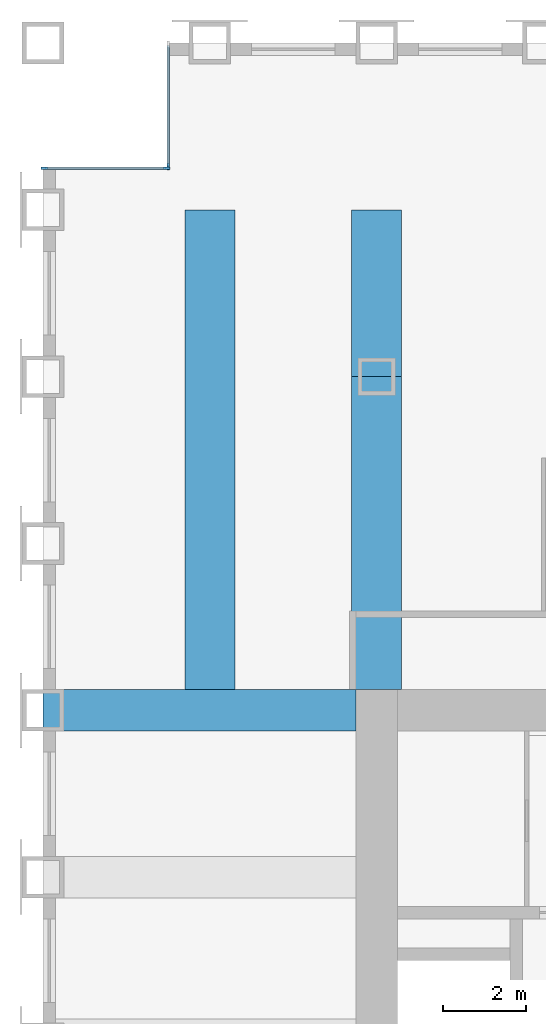
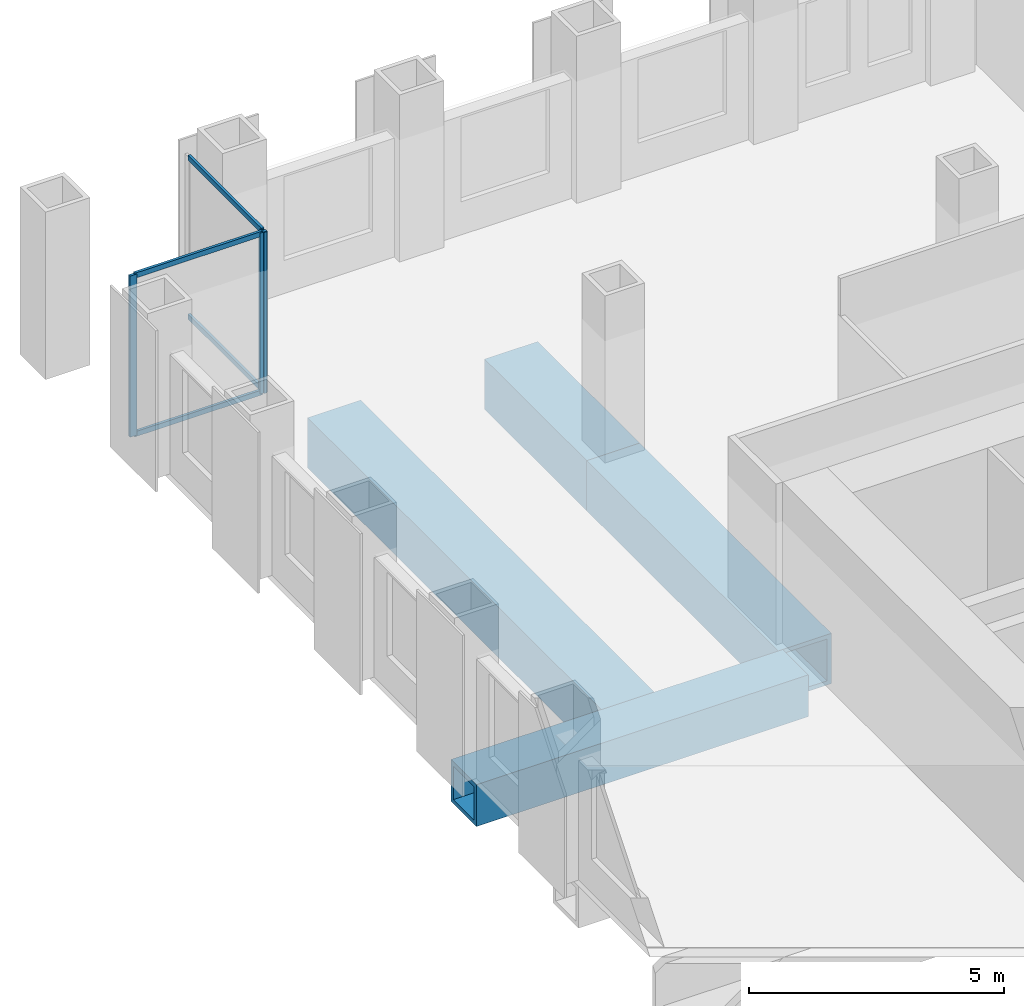
# One storey, part 5 of 14: 7 members, 4 beams, 2 elements without a shape of their own.
"""IFC4 building model written with IfcOpenShell, lengths in metres."""

from ifc_helpers import new_model, si_unit, direction, frame, origin, origin_2d, place, context, subcontext, project, spatial, rectangle, hollow_rectangle, extrude, material, material_profile, profile_set, type_object, element, aggregate, save


model = new_model("IFC4")

# Units and contexts
model_context = context("Model", 3, precision=1e-05, world=origin(), true_north=direction((0.0, 1.0)))
body_context = subcontext(model_context, "Body", "Model", "MODEL_VIEW")
ifc_project = project(units=[si_unit("LENGTHUNIT", "METRE"), si_unit("AREAUNIT", "SQUARE_METRE"), si_unit("VOLUMEUNIT", "CUBIC_METRE"), si_unit("PLANEANGLEUNIT", "RADIAN"), si_unit("MASSUNIT", "GRAM", prefix="KILO")], contexts=[model_context])

# Site, building, storey
site_placement = place(None, origin())
site = spatial("IfcSite", under=ifc_project, at=site_placement, CompositionType="ELEMENT")
building_placement = place(site_placement, origin())
building = spatial("IfcBuilding", under=site, at=building_placement, Name="Rimbunsela Tower", CompositionType="ELEMENT")
storey_placement = place(building_placement, frame((0.0, 0.0, 109.39990234375)))
storey = spatial("IfcBuildingStorey", under=building, at=storey_placement, Name="L26", CompositionType="ELEMENT", Elevation=109.39990234375)

# Beams
ifc_material_1 = material(Name="Steel BJ 55 (fy 410 MPa)", Category="steel")
ifc_material_profile_1 = material_profile(ifc_material_1, hollow_rectangle(XDim=1.0, YDim=1.0, WallThickness=0.10009765625, at=origin_2d()), Name="BOX 1000x1000x100")
ifc_profile_set_1 = profile_set([ifc_material_profile_1], Name="Steel BJ 55 (fy 410 MPa)")
beam_type_1 = type_object("IfcBeamType", Name="Beam BOX 1000x1000x100", PredefinedType="BEAM", material=ifc_profile_set_1)
beam_1_placement = place(storey_placement, frame((10.0, 36.0, -0.64990234375), z_axis=(1.0, 0.0, 0.0), x_axis=(0.0, 1.0, 0.0)))
element("IfcBeam", 1, at=beam_1_placement, inside=storey, type_object=beam_type_1, Name="Beam B3 L26", PredefinedType="BEAM", context=body_context, shape_type="SweptSolid", body=[
    extrude(hollow_rectangle(XDim=1.0, YDim=1.0, WallThickness=0.10009765625, at=origin_2d()), origin(), (0.0, 0.0, 1.0), 7.5),
])
ifc_material_2 = material(Name="Steel BJ 55 (fy 410 MPa)", Category="steel")
ifc_material_profile_2 = material_profile(ifc_material_2, hollow_rectangle(XDim=1.199951171875, YDim=1.199951171875, WallThickness=0.10009765625, at=origin_2d()), Name="BOX 1200x1200x100")
ifc_profile_set_2 = profile_set([ifc_material_profile_2], Name="Steel BJ 55 (fy 410 MPa)")
beam_type_2 = type_object("IfcBeamType", Name="Beam BOX 1200x1200x100", PredefinedType="BEAM", material=ifc_profile_set_2)
beam_2_placement = place(storey_placement, frame((14.0, 36.5, -0.75), z_axis=(0.0, 1.0, 0.0), x_axis=(-1.0, 0.0, 0.0)))
element("IfcBeam", 2, at=beam_2_placement, inside=storey, type_object=beam_type_2, Name="Beam B5 L26", PredefinedType="BEAM", context=body_context, shape_type="SweptSolid", body=[
    extrude(hollow_rectangle(XDim=1.199951171875, YDim=1.199951171875, WallThickness=0.10009765625, at=origin_2d()), origin(), (0.0, 0.0, 1.0), 11.5),
])
beam_3_placement = place(storey_placement, frame((18.0, 36.5, -0.75), z_axis=(0.0, 1.0, 0.0), x_axis=(-1.0, 0.0, 0.0)))
element("IfcBeam", 3, at=beam_3_placement, inside=storey, type_object=beam_type_2, Name="Beam B5 L26", PredefinedType="BEAM", context=body_context, shape_type="SweptSolid", body=[
    extrude(hollow_rectangle(XDim=1.199951171875, YDim=1.199951171875, WallThickness=0.10009765625, at=origin_2d()), origin(), (0.0, 0.0, 1.0), 7.5),
])
beam_4_placement = place(storey_placement, frame((18.0, 44.0, -0.75), z_axis=(0.0, 1.0, 0.0), x_axis=(-1.0, 0.0, 0.0)))
element("IfcBeam", 4, at=beam_4_placement, inside=storey, type_object=beam_type_2, Name="Beam B5 L26", PredefinedType="BEAM", context=body_context, shape_type="SweptSolid", body=[
    extrude(hollow_rectangle(XDim=1.199951171875, YDim=1.199951171875, WallThickness=0.10009765625, at=origin_2d()), origin(), (0.0, 0.0, 1.0), 4.0),
])

# Curtain wall, member
ifc_material_3 = material(Name="Aluminium curtain wall", Category="aluminium")
curtain_wall_type = type_object("IfcCurtainWallType", Name="Corner glazing", PredefinedType="USERDEFINED", material=ifc_material_3)
curtain_wall_1_placement = place(storey_placement, origin())
curtain_wall_1 = element("IfcCurtainWall", 5, at=curtain_wall_1_placement, inside=storey, type_object=curtain_wall_type, Name="Corner glazing L26", ObjectType="CORNER GLAZING", PredefinedType="USERDEFINED")
ifc_material_4 = material(Name="Aluminium mullion", Category="aluminium")
ifc_material_profile_3 = material_profile(ifc_material_4, rectangle(XDim=0.06005859375, YDim=0.159912109375, at=origin_2d()), Name="Mullion 60x160")
ifc_profile_set_3 = profile_set([ifc_material_profile_3], Name="Aluminium mullion")
member_type_1 = type_object("IfcMemberType", Name="Curtain wall mullion 60x160", PredefinedType="MULLION", material=ifc_profile_set_3)
member_1_placement = place(storey_placement, frame((13.0, 49.030029296875, 0.0), z_axis=(0.0, 0.0, 1.0), x_axis=(1.0, 0.0, 0.0)))
member_1 = element("IfcMember", 6, at=member_1_placement, type_object=member_type_1, Name="CW5 mullion 2", PredefinedType="MULLION", context=body_context, shape_type="SweptSolid", body=[
    extrude(rectangle(XDim=0.06005859375, YDim=0.159912109375, at=origin_2d()), origin(), (0.0, 0.0, 1.0), 3.85009765625),
])

# Curtain wall, members
curtain_wall_2_placement = place(storey_placement, origin())
curtain_wall_2 = element("IfcCurtainWall", 7, at=curtain_wall_2_placement, inside=storey, type_object=curtain_wall_type, Name="Corner glazing L26", ObjectType="CORNER GLAZING", PredefinedType="USERDEFINED")
member_2_placement = place(storey_placement, frame((12.969970703125, 49.0, 0.0), z_axis=(0.0, 0.0, 1.0), x_axis=(0.0, -1.0, 0.0)))
member_2 = element("IfcMember", 8, at=member_2_placement, type_object=member_type_1, Name="CW5 mullion 1", PredefinedType="MULLION", context=body_context, shape_type="SweptSolid", body=[
    extrude(rectangle(XDim=0.06005859375, YDim=0.159912109375, at=origin_2d()), origin(), (0.0, 0.0, 1.0), 3.85009765625),
])
member_3_placement = place(storey_placement, frame((10.030029296875, 49.0, 0.0), z_axis=(0.0, 0.0, 1.0), x_axis=(0.0, -1.0, 0.0)))
member_3 = element("IfcMember", 9, at=member_3_placement, type_object=member_type_1, Name="CW5 mullion 2", PredefinedType="MULLION", context=body_context, shape_type="SweptSolid", body=[
    extrude(rectangle(XDim=0.06005859375, YDim=0.159912109375, at=origin_2d()), origin(), (0.0, 0.0, 1.0), 3.85009765625),
])

# Member
ifc_material_5 = material(Name="Aluminium transom", Category="aluminium")
ifc_material_profile_4 = material_profile(ifc_material_5, rectangle(XDim=0.06005859375, YDim=0.1201171875, at=origin_2d()), Name="Transom 60x120")
ifc_profile_set_4 = profile_set([ifc_material_profile_4], Name="Aluminium transom")
member_type_2 = type_object("IfcMemberType", Name="Curtain wall transom 60x120", PredefinedType="USERDEFINED", material=ifc_profile_set_4)
member_4_placement = place(storey_placement, frame((13.0, 51.93994140625, 0.030029296875), z_axis=(0.0, -1.0, 0.0), x_axis=(1.0, 0.0, 0.0)))
member_4 = element("IfcMember", 10, at=member_4_placement, type_object=member_type_2, Name="CW5 transom 1.1", ObjectType="TRANSOM", PredefinedType="USERDEFINED", context=body_context, shape_type="SweptSolid", body=[
    extrude(rectangle(XDim=0.06005859375, YDim=0.1201171875, at=origin_2d()), origin(), (0.0, 0.0, 1.0), 2.8798828125),
])

member_5_placement = place(storey_placement, frame((13.0, 51.93994140625, 3.820068359375), z_axis=(0.0, -1.0, 0.0), x_axis=(1.0, 0.0, 0.0)))
member_5 = element("IfcMember", 11, at=member_5_placement, type_object=member_type_2, Name="CW5 transom 1.2", ObjectType="TRANSOM", PredefinedType="USERDEFINED", context=body_context, shape_type="SweptSolid", body=[
    extrude(rectangle(XDim=0.06005859375, YDim=0.1201171875, at=origin_2d()), origin(), (0.0, 0.0, 1.0), 2.8798828125),
])

aggregate(curtain_wall_1, [member_1, member_4, member_5])

member_6_placement = place(storey_placement, frame((12.93994140625, 49.0, 0.030029296875), z_axis=(-1.0, 0.0, 0.0), x_axis=(0.0, -1.0, 0.0)))
member_6 = element("IfcMember", 12, at=member_6_placement, type_object=member_type_2, Name="CW5 transom 1.1", ObjectType="TRANSOM", PredefinedType="USERDEFINED", context=body_context, shape_type="SweptSolid", body=[
    extrude(rectangle(XDim=0.06005859375, YDim=0.1201171875, at=origin_2d()), origin(), (0.0, 0.0, 1.0), 2.8798828125),
])

member_7_placement = place(storey_placement, frame((12.93994140625, 49.0, 3.820068359375), z_axis=(-1.0, 0.0, 0.0), x_axis=(0.0, -1.0, 0.0)))
member_7 = element("IfcMember", 13, at=member_7_placement, type_object=member_type_2, Name="CW5 transom 1.2", ObjectType="TRANSOM", PredefinedType="USERDEFINED", context=body_context, shape_type="SweptSolid", body=[
    extrude(rectangle(XDim=0.06005859375, YDim=0.1201171875, at=origin_2d()), origin(), (0.0, 0.0, 1.0), 2.8798828125),
])

aggregate(curtain_wall_2, [member_2, member_3, member_6, member_7])

save(model, "model.ifc")
